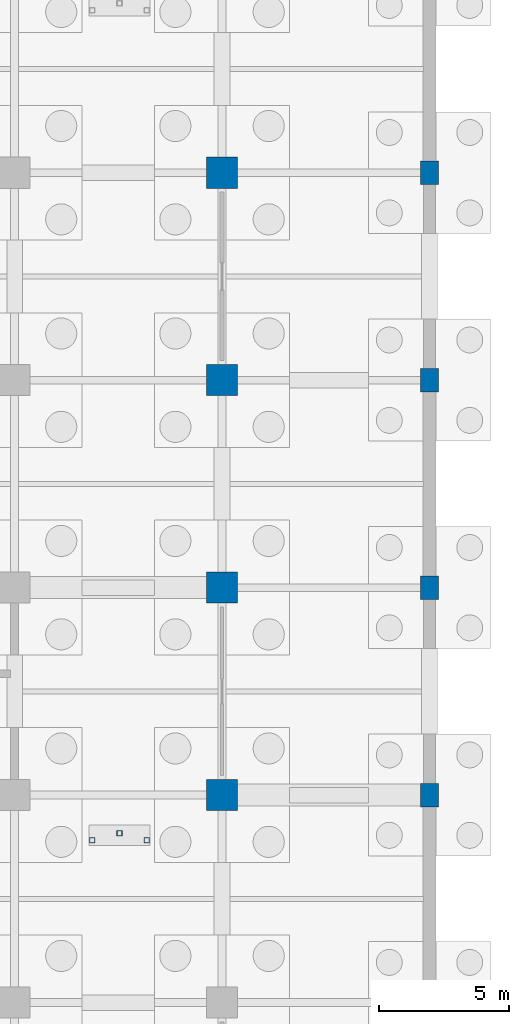
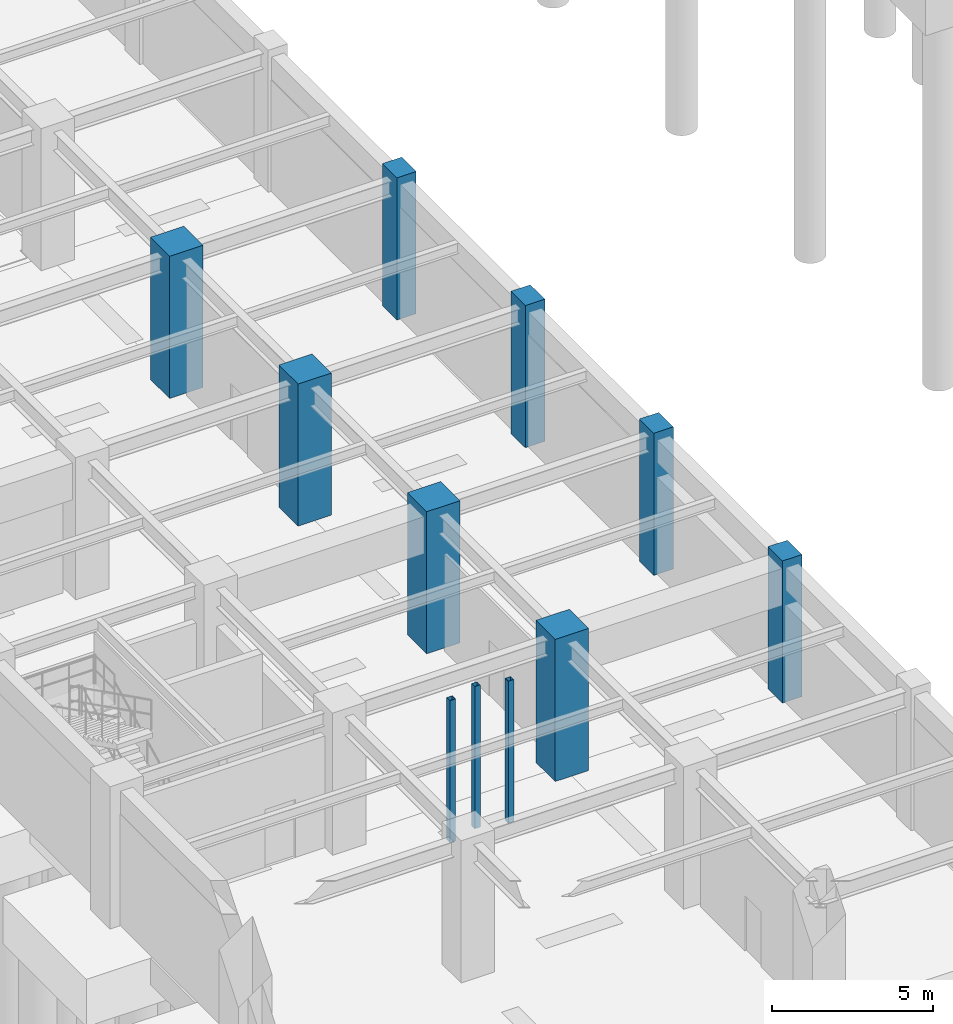
# One storey, part 40 of 97: 11 columns.
"""IFC4 building model written with IfcOpenShell, lengths in metres."""

from ifc_helpers import new_model, si_unit, direction, frame, origin, origin_2d, place, context, subcontext, project, spatial, rectangle, hollow_rectangle, extrude, material, material_profile, profile_set, type_object, element, save


model = new_model("IFC4")

# Units and contexts
model_context = context("Model", 3, precision=1e-05, world=origin(), true_north=direction((0.0, 1.0)))
body_context = subcontext(model_context, "Body", "Model", "MODEL_VIEW")
ifc_project = project(units=[si_unit("LENGTHUNIT", "METRE"), si_unit("AREAUNIT", "SQUARE_METRE"), si_unit("VOLUMEUNIT", "CUBIC_METRE"), si_unit("PLANEANGLEUNIT", "RADIAN"), si_unit("MASSUNIT", "GRAM", prefix="KILO")], contexts=[model_context])

# Site, building, storey
site_placement = place(None, origin())
site = spatial("IfcSite", under=ifc_project, at=site_placement, CompositionType="ELEMENT")
building_placement = place(site_placement, origin())
building = spatial("IfcBuilding", under=site, at=building_placement, Name="Haebicheon Civic Stadium", CompositionType="ELEMENT")
storey_placement = place(building_placement, frame((0.0, 0.0, -5.39990234375)))
storey = spatial("IfcBuildingStorey", under=building, at=storey_placement, Name="B1", CompositionType="ELEMENT", Elevation=-5.39990234375)

# Columns
ifc_material_1 = material(Name="Concrete C40/50", Category="concrete")
ifc_material_profile_1 = material_profile(ifc_material_1, rectangle(XDim=1.199951171875, YDim=1.199951171875, at=origin_2d()), Name="RC-COL-1200x1200")
ifc_profile_set_1 = profile_set([ifc_material_profile_1], Name="Concrete C40/50")
column_type_1 = type_object("IfcColumnType", Name="COL-RC-1200", PredefinedType="COLUMN", material=ifc_profile_set_1)
for number, where, z_axis, x_axis, name in (
    (1, (160.0, 64.0, 0.0), (0.0, 0.0, 1.0), (1.0, 0.0, 0.0), "B1 column 21/J"),
    (2, (160.0, 72.0, 0.0), (0.0, 0.0, 1.0), (1.0, 0.0, 0.0), "B1 column 21/K"),
    (3, (160.0, 80.0, 0.0), (0.0, 0.0, 1.0), (1.0, 0.0, 0.0), "B1 column 21/L"),
    (4, (160.0, 88.0, 0.0), (0.0, 0.0, 1.0), (1.0, 0.0, 0.0), "B1 column 21/M"),
):
    element("IfcColumn", number, at=place(storey_placement, frame(where, z_axis=z_axis, x_axis=x_axis)), inside=storey, type_object=column_type_1, material=ifc_profile_set_1, Name=name, PredefinedType="COLUMN", context=body_context, shape_type="SweptSolid", body=[
        extrude(rectangle(XDim=1.199951171875, YDim=1.199951171875, at=origin_2d()), origin(), (0.0, 0.0, 1.0), 5.39990234375),
    ])
ifc_material_2 = material(Name="Concrete C40/50", Category="concrete")
ifc_material_profile_2 = material_profile(ifc_material_2, rectangle(XDim=0.699951171875, YDim=0.89990234375, at=origin_2d()), Name="RC-COL-900x700")
ifc_profile_set_2 = profile_set([ifc_material_profile_2], Name="Concrete C40/50")
column_type_2 = type_object("IfcColumnType", Name="COL-RC-900x700", PredefinedType="COLUMN", material=ifc_profile_set_2)
for number, where, z_axis, x_axis, name in (
    (5, (168.0, 64.0, 0.0), (0.0, 0.0, 1.0), (1.0, 0.0, 0.0), "B1 column 22/J"),
    (6, (168.0, 72.0, 0.0), (0.0, 0.0, 1.0), (1.0, 0.0, 0.0), "B1 column 22/K"),
    (7, (168.0, 80.0, 0.0), (0.0, 0.0, 1.0), (1.0, 0.0, 0.0), "B1 column 22/L"),
    (8, (168.0, 88.0, 0.0), (0.0, 0.0, 1.0), (1.0, 0.0, 0.0), "B1 column 22/M"),
):
    element("IfcColumn", number, at=place(storey_placement, frame(where, z_axis=z_axis, x_axis=x_axis)), inside=storey, type_object=column_type_2, material=ifc_profile_set_2, Name=name, PredefinedType="COLUMN", context=body_context, shape_type="SweptSolid", body=[
        extrude(rectangle(XDim=0.699951171875, YDim=0.89990234375, at=origin_2d()), origin(), (0.0, 0.0, 1.0), 5.39990234375),
    ])
ifc_material_3 = material(Name="Steel SM355 (S355)", Category="steel")
ifc_material_profile_3 = material_profile(ifc_material_3, hollow_rectangle(XDim=0.199951171875, YDim=0.199951171875, WallThickness=0.009033203125, at=origin_2d()), Name="RHS-200x200x9.0")
ifc_profile_set_3 = profile_set([ifc_material_profile_3], Name="Steel SM355 (S355)")
column_type_3 = type_object("IfcColumnType", Name="COL-ST-RHS200", PredefinedType="COLUMN", material=ifc_profile_set_3)
for number, where, z_axis, x_axis, name in (
    (9, (155.0, 62.260009765625, 0.0), (0.0, 0.0, 1.0), (1.0, 0.0, 0.0), "VM-06 B1 vomitory landing support post A"),
    (10, (157.10009765625, 62.260009765625, 0.0), (0.0, 0.0, 1.0), (1.0, 0.0, 0.0), "VM-06 B1 vomitory landing support post B"),
    (11, (156.050048828125, 62.530029296875, 0.0), (0.0, 0.0, 1.0), (1.0, 0.0, 0.0), "VM-06 B1 vomitory landing support post C"),
):
    element("IfcColumn", number, at=place(storey_placement, frame(where, z_axis=z_axis, x_axis=x_axis)), inside=storey, type_object=column_type_3, material=ifc_profile_set_3, Name=name, PredefinedType="COLUMN", context=body_context, shape_type="SweptSolid", body=[
        extrude(hollow_rectangle(XDim=0.199951171875, YDim=0.199951171875, WallThickness=0.009033203125, at=origin_2d()), origin(), (0.0, 0.0, 1.0), 5.39990234375),
    ])

save(model, "model.ifc")
